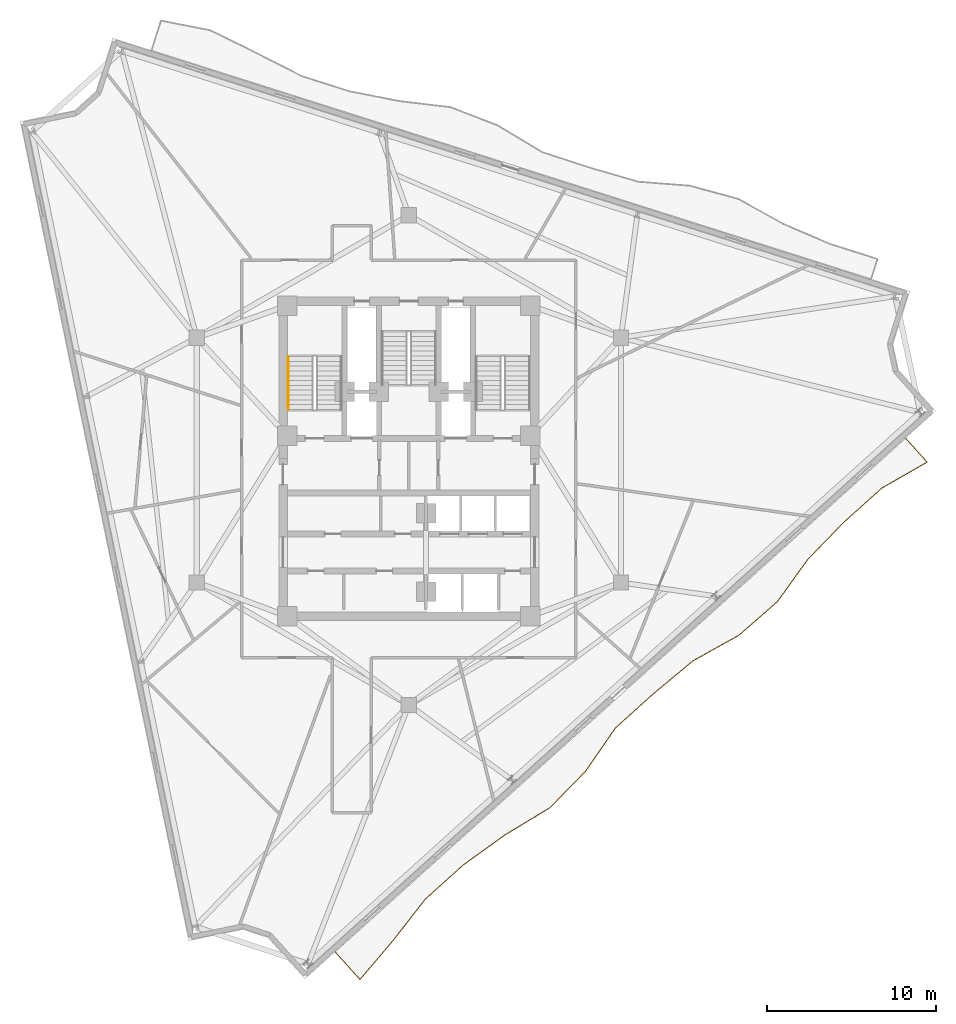
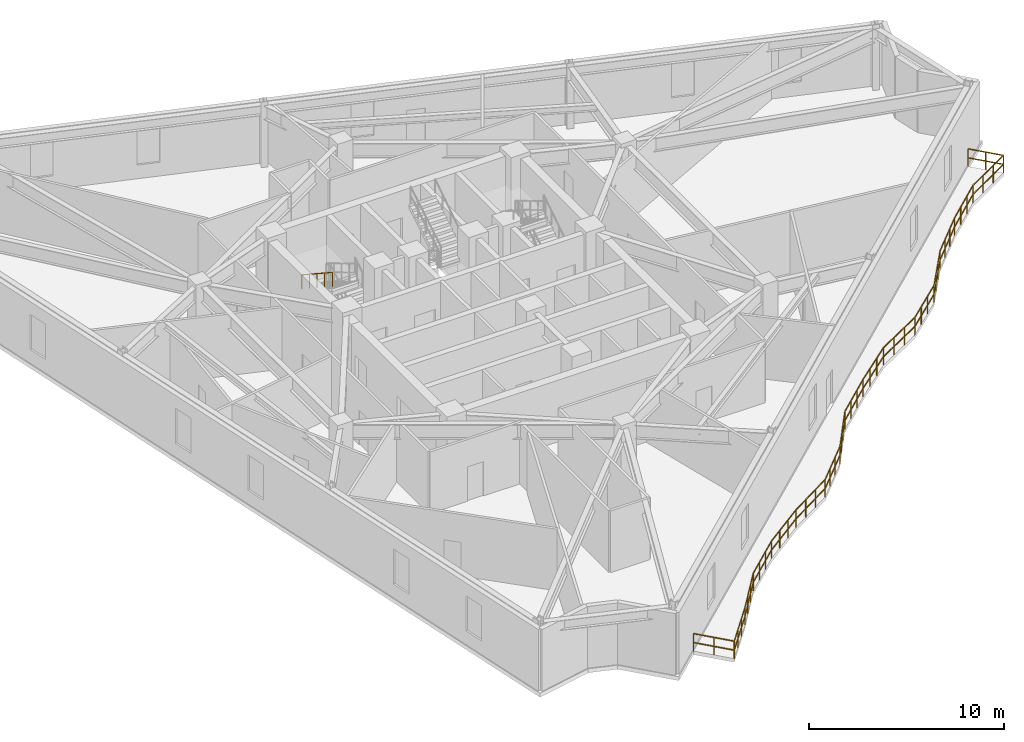
# One storey, part 9 of 11: 2 railings.
"""IFC4 building model written with IfcOpenShell, lengths in metres."""

from ifc_helpers import new_model, si_unit, direction, frame, origin, origin_2d, place, context, subcontext, project, spatial, rectangle, extrude, material, type_object, element, save


model = new_model("IFC4")

# Units and contexts
model_context = context("Model", 3, precision=1e-05, world=origin(), true_north=direction((0.0, 1.0)))
body_context = subcontext(model_context, "Body", "Model", "MODEL_VIEW")
ifc_project = project(units=[si_unit("LENGTHUNIT", "METRE"), si_unit("AREAUNIT", "SQUARE_METRE"), si_unit("VOLUMEUNIT", "CUBIC_METRE"), si_unit("PLANEANGLEUNIT", "RADIAN"), si_unit("MASSUNIT", "GRAM", prefix="KILO")], contexts=[model_context])

# Site, building, storey
site_placement = place(None, origin())
site = spatial("IfcSite", under=ifc_project, at=site_placement, CompositionType="ELEMENT")
building_placement = place(site_placement, origin())
building = spatial("IfcBuilding", under=site, at=building_placement, Name="Apsidion Concourse Tower", CompositionType="ELEMENT")
storey_placement = place(building_placement, frame((0.0, 0.0, 236.300048828125)))
storey = spatial("IfcBuildingStorey", under=building, at=storey_placement, Name="L55", CompositionType="ELEMENT", Elevation=236.300048828125)

# Railings
ifc_material = material(Name="Brushed stainless steel 316", Category="steel")
railing_type_1 = type_object("IfcRailingType", Name="RL-BAL-1120", PredefinedType="BALUSTRADE", material=ifc_material)
railing_1_placement = place(storey_placement, frame((29.43359375, 1.295166015625, 0.0)))
element("IfcRailing", 1, at=railing_1_placement, inside=storey, type_object=railing_type_1, Name="L55 Face 2 Rippling Balcony Balustrade", PredefinedType="BALUSTRADE", context=body_context, shape_type="SweptSolid", body=[
    extrude(rectangle(XDim=0.048095703125, YDim=0.048095703125, at=origin_2d()), frame((0.0, 0.0, 1.09619140625), z_axis=(0.669070824804, -0.743198648677, 0.0), x_axis=(0.743198648677, 0.669070824804, 0.0)), (0.0, 0.0, 1.0), 1.906982421875),
    extrude(rectangle(XDim=0.048095703125, YDim=0.048095703125, at=origin_2d()), frame((0.0, 0.0, 0.5361328125), z_axis=(0.669070824804, -0.743198648677, 0.0), x_axis=(0.743198648677, 0.669070824804, 0.0)), (0.0, 0.0, 1.0), 1.906982421875),
    extrude(rectangle(XDim=0.048095703125, YDim=0.048095703125, at=origin_2d()), frame((1.27587890625, -1.417236328125, 1.09619140625), z_axis=(-0.867981495589, -0.496596539774, 0.0), x_axis=(0.496596539774, -0.867981495589, 0.0)), (0.0, 0.0, 1.0), 3.10205078125),
    extrude(rectangle(XDim=0.048095703125, YDim=0.048095703125, at=origin_2d()), frame((1.27587890625, -1.417236328125, 0.5361328125), z_axis=(-0.867981495589, -0.496596539774, 0.0), x_axis=(0.496596539774, -0.867981495589, 0.0)), (0.0, 0.0, 1.0), 3.10205078125),
    extrude(rectangle(XDim=0.048095703125, YDim=0.048095703125, at=origin_2d()), frame((-1.416748046875, -2.957763671875, 1.09619140625), z_axis=(-0.743137975508, -0.669138213942, 0.0), x_axis=(0.669138213942, -0.743137975508, 0.0)), (0.0, 0.0, 1.0), 3.031982421875),
    extrude(rectangle(XDim=0.048095703125, YDim=0.048095703125, at=origin_2d()), frame((-1.416748046875, -2.957763671875, 0.5361328125), z_axis=(-0.743137975508, -0.669138213942, 0.0), x_axis=(0.669138213942, -0.743137975508, 0.0)), (0.0, 0.0, 1.0), 3.031982421875),
    extrude(rectangle(XDim=0.048095703125, YDim=0.048095703125, at=origin_2d()), frame((-3.669921875, -4.986572265625, 1.09619140625), z_axis=(-0.696952183516, -0.71711760116, 0.0), x_axis=(0.71711760116, -0.696952183516, 0.0)), (0.0, 0.0, 1.0), 3.038818359375),
    extrude(rectangle(XDim=0.048095703125, YDim=0.048095703125, at=origin_2d()), frame((-3.669921875, -4.986572265625, 0.5361328125), z_axis=(-0.696952183516, -0.71711760116, 0.0), x_axis=(0.71711760116, -0.696952183516, 0.0)), (0.0, 0.0, 1.0), 3.038818359375),
    extrude(rectangle(XDim=0.048095703125, YDim=0.048095703125, at=origin_2d()), frame((-5.787841796875, -7.165771484375, 1.09619140625), z_axis=(-0.58424875657, -0.811574636399, 0.0), x_axis=(0.811574636399, -0.58424875657, 0.0)), (0.0, 0.0, 1.0), 3.102783203125),
    extrude(rectangle(XDim=0.048095703125, YDim=0.048095703125, at=origin_2d()), frame((-5.787841796875, -7.165771484375, 0.5361328125), z_axis=(-0.58424875657, -0.811574636399, 0.0), x_axis=(0.811574636399, -0.58424875657, 0.0)), (0.0, 0.0, 1.0), 3.102783203125),
    extrude(rectangle(XDim=0.048095703125, YDim=0.048095703125, at=origin_2d()), frame((-7.6005859375, -9.683837890625, 1.09619140625), z_axis=(-0.753423932344, -0.657535077522, 0.0), x_axis=(0.657535077522, -0.753423932344, 0.0)), (0.0, 0.0, 1.0), 3.032470703125),
    extrude(rectangle(XDim=0.048095703125, YDim=0.048095703125, at=origin_2d()), frame((-7.6005859375, -9.683837890625, 0.5361328125), z_axis=(-0.753423932344, -0.657535077522, 0.0), x_axis=(0.657535077522, -0.753423932344, 0.0)), (0.0, 0.0, 1.0), 3.032470703125),
    extrude(rectangle(XDim=0.048095703125, YDim=0.048095703125, at=origin_2d()), frame((-9.88525390625, -11.677734375, 1.09619140625), z_axis=(-0.873582755783, -0.486675629962, 0.0), x_axis=(0.486675629962, -0.873582755783, 0.0)), (0.0, 0.0, 1.0), 3.110107421875),
    extrude(rectangle(XDim=0.048095703125, YDim=0.048095703125, at=origin_2d()), frame((-9.88525390625, -11.677734375, 0.5361328125), z_axis=(-0.873582755783, -0.486675629962, 0.0), x_axis=(0.486675629962, -0.873582755783, 0.0)), (0.0, 0.0, 1.0), 3.110107421875),
    extrude(rectangle(XDim=0.048095703125, YDim=0.048095703125, at=origin_2d()), frame((-12.602294921875, -13.19140625, 1.09619140625), z_axis=(-0.769124048812, -0.639099520841, 0.0), x_axis=(0.639099520841, -0.769124048812, 0.0)), (0.0, 0.0, 1.0), 3.0341796875),
    extrude(rectangle(XDim=0.048095703125, YDim=0.048095703125, at=origin_2d()), frame((-12.602294921875, -13.19140625, 0.5361328125), z_axis=(-0.769124048812, -0.639099520841, 0.0), x_axis=(0.639099520841, -0.769124048812, 0.0)), (0.0, 0.0, 1.0), 3.0341796875),
    extrude(rectangle(XDim=0.048095703125, YDim=0.048095703125, at=origin_2d()), frame((-14.93603515625, -15.130615234375, 1.09619140625), z_axis=(-0.743137975508, -0.669138213942, 0.0), x_axis=(0.669138213942, -0.743137975508, 0.0)), (0.0, 0.0, 1.0), 3.031982421875),
    extrude(rectangle(XDim=0.048095703125, YDim=0.048095703125, at=origin_2d()), frame((-14.93603515625, -15.130615234375, 0.5361328125), z_axis=(-0.743137975508, -0.669138213942, 0.0), x_axis=(0.669138213942, -0.743137975508, 0.0)), (0.0, 0.0, 1.0), 3.031982421875),
    extrude(rectangle(XDim=0.048095703125, YDim=0.048095703125, at=origin_2d()), frame((-17.189208984375, -17.159423828125, 1.09619140625), z_axis=(-0.56750232993, -0.823371790581, 0.0), x_axis=(0.823371790581, -0.56750232993, 0.0)), (0.0, 0.0, 1.0), 3.1171875),
    extrude(rectangle(XDim=0.048095703125, YDim=0.048095703125, at=origin_2d()), frame((-17.189208984375, -17.159423828125, 0.5361328125), z_axis=(-0.56750232993, -0.823371790581, 0.0), x_axis=(0.823371790581, -0.56750232993, 0.0)), (0.0, 0.0, 1.0), 3.1171875),
    extrude(rectangle(XDim=0.048095703125, YDim=0.048095703125, at=origin_2d()), frame((-18.958251953125, -19.72607421875, 1.09619140625), z_axis=(-0.699552991955, -0.714580724234, 0.0), x_axis=(0.714580724234, -0.699552991955, 0.0)), (0.0, 0.0, 1.0), 3.0380859375),
    extrude(rectangle(XDim=0.048095703125, YDim=0.048095703125, at=origin_2d()), frame((-18.958251953125, -19.72607421875, 0.5361328125), z_axis=(-0.699552991955, -0.714580724234, 0.0), x_axis=(0.714580724234, -0.699552991955, 0.0)), (0.0, 0.0, 1.0), 3.0380859375),
    extrude(rectangle(XDim=0.048095703125, YDim=0.048095703125, at=origin_2d()), frame((-21.08349609375, -21.89697265625, 1.09619140625), z_axis=(-0.855989177558, -0.516993740681, 0.0), x_axis=(0.516993740681, -0.855989177558, 0.0)), (0.0, 0.0, 1.0), 3.08740234375),
    extrude(rectangle(XDim=0.048095703125, YDim=0.048095703125, at=origin_2d()), frame((-21.08349609375, -21.89697265625, 0.5361328125), z_axis=(-0.855989177558, -0.516993740681, 0.0), x_axis=(0.516993740681, -0.855989177558, 0.0)), (0.0, 0.0, 1.0), 3.08740234375),
    extrude(rectangle(XDim=0.048095703125, YDim=0.048095703125, at=origin_2d()), frame((-23.726318359375, -23.4931640625, 1.09619140625), z_axis=(-0.811705861179, -0.584066430236, 0.0), x_axis=(0.584066430236, -0.811705861179, 0.0)), (0.0, 0.0, 1.0), 3.050048828125),
    extrude(rectangle(XDim=0.048095703125, YDim=0.048095703125, at=origin_2d()), frame((-23.726318359375, -23.4931640625, 0.5361328125), z_axis=(-0.811705861179, -0.584066430236, 0.0), x_axis=(0.584066430236, -0.811705861179, 0.0)), (0.0, 0.0, 1.0), 3.050048828125),
    extrude(rectangle(XDim=0.048095703125, YDim=0.048095703125, at=origin_2d()), frame((-26.2021484375, -25.274658203125, 1.09619140625), z_axis=(-0.743137975508, -0.669138213942, 0.0), x_axis=(0.669138213942, -0.743137975508, 0.0)), (0.0, 0.0, 1.0), 3.031982421875),
    extrude(rectangle(XDim=0.048095703125, YDim=0.048095703125, at=origin_2d()), frame((-26.2021484375, -25.274658203125, 0.5361328125), z_axis=(-0.743137975508, -0.669138213942, 0.0), x_axis=(0.669138213942, -0.743137975508, 0.0)), (0.0, 0.0, 1.0), 3.031982421875),
    extrude(rectangle(XDim=0.048095703125, YDim=0.048095703125, at=origin_2d()), frame((-28.455322265625, -27.303466796875, 1.09619140625), z_axis=(-0.614022928689, -0.789288187575, 0.0), x_axis=(0.789288187575, -0.614022928689, 0.0)), (0.0, 0.0, 1.0), 3.079833984375),
    extrude(rectangle(XDim=0.048095703125, YDim=0.048095703125, at=origin_2d()), frame((-28.455322265625, -27.303466796875, 0.5361328125), z_axis=(-0.614022928689, -0.789288187575, 0.0), x_axis=(0.789288187575, -0.614022928689, 0.0)), (0.0, 0.0, 1.0), 3.079833984375),
    extrude(rectangle(XDim=0.048095703125, YDim=0.048095703125, at=origin_2d()), frame((-30.346435546875, -29.734375, 1.09619140625), z_axis=(-0.647057580435, -0.762441137139, 0.0), x_axis=(0.762441137139, -0.647057580435, 0.0)), (0.0, 0.0, 1.0), 3.0595703125),
    extrude(rectangle(XDim=0.048095703125, YDim=0.048095703125, at=origin_2d()), frame((-30.346435546875, -29.734375, 0.5361328125), z_axis=(-0.647057580435, -0.762441137139, 0.0), x_axis=(0.762441137139, -0.647057580435, 0.0)), (0.0, 0.0, 1.0), 3.0595703125),
    extrude(rectangle(XDim=0.048095703125, YDim=0.048095703125, at=origin_2d()), frame((-32.326171875, -32.067138671875, 1.09619140625), z_axis=(-0.669068955814, 0.743200331247, 0.0), x_axis=(-0.743200331247, -0.669068955814, 0.0)), (0.0, 0.0, 1.0), 2.199951171875),
    extrude(rectangle(XDim=0.048095703125, YDim=0.048095703125, at=origin_2d()), frame((-32.326171875, -32.067138671875, 0.5361328125), z_axis=(-0.669068955814, 0.743200331247, 0.0), x_axis=(-0.743200331247, -0.669068955814, 0.0)), (0.0, 0.0, 1.0), 2.199951171875),
    extrude(rectangle(XDim=0.0419921875, YDim=0.0419921875, at=origin_2d()), origin(), (0.0, 0.0, 1.0), 1.072021484375),
    extrude(rectangle(XDim=0.0419921875, YDim=0.0419921875, at=origin_2d()), frame((0.637939453125, -0.70849609375, 0.0)), (0.0, 0.0, 1.0), 1.072021484375),
    extrude(rectangle(XDim=0.0419921875, YDim=0.0419921875, at=origin_2d()), frame((1.27587890625, -1.417236328125, 0.0)), (0.0, 0.0, 1.0), 1.072021484375),
    extrude(rectangle(XDim=0.0419921875, YDim=0.0419921875, at=origin_2d()), frame((0.37841796875, -1.9306640625, 0.0)), (0.0, 0.0, 1.0), 1.072021484375),
    extrude(rectangle(XDim=0.0419921875, YDim=0.0419921875, at=origin_2d()), frame((-0.519287109375, -2.4443359375, 0.0)), (0.0, 0.0, 1.0), 1.072021484375),
    extrude(rectangle(XDim=0.0419921875, YDim=0.0419921875, at=origin_2d()), frame((-1.416748046875, -2.957763671875, 0.0)), (0.0, 0.0, 1.0), 1.072021484375),
    extrude(rectangle(XDim=0.0419921875, YDim=0.0419921875, at=origin_2d()), frame((-2.167724609375, -3.634033203125, 0.0)), (0.0, 0.0, 1.0), 1.072021484375),
    extrude(rectangle(XDim=0.0419921875, YDim=0.0419921875, at=origin_2d()), frame((-2.9189453125, -4.310302734375, 0.0)), (0.0, 0.0, 1.0), 1.072021484375),
    extrude(rectangle(XDim=0.0419921875, YDim=0.0419921875, at=origin_2d()), frame((-3.669921875, -4.986572265625, 0.0)), (0.0, 0.0, 1.0), 1.072021484375),
    extrude(rectangle(XDim=0.0419921875, YDim=0.0419921875, at=origin_2d()), frame((-4.3759765625, -5.712890625, 0.0)), (0.0, 0.0, 1.0), 1.072021484375),
    extrude(rectangle(XDim=0.0419921875, YDim=0.0419921875, at=origin_2d()), frame((-5.081787109375, -6.439453125, 0.0)), (0.0, 0.0, 1.0), 1.072021484375),
    extrude(rectangle(XDim=0.0419921875, YDim=0.0419921875, at=origin_2d()), frame((-5.787841796875, -7.165771484375, 0.0)), (0.0, 0.0, 1.0), 1.072021484375),
    extrude(rectangle(XDim=0.0419921875, YDim=0.0419921875, at=origin_2d()), frame((-6.39208984375, -8.005126953125, 0.0)), (0.0, 0.0, 1.0), 1.072021484375),
    extrude(rectangle(XDim=0.0419921875, YDim=0.0419921875, at=origin_2d()), frame((-6.996337890625, -8.844482421875, 0.0)), (0.0, 0.0, 1.0), 1.072021484375),
    extrude(rectangle(XDim=0.0419921875, YDim=0.0419921875, at=origin_2d()), frame((-7.6005859375, -9.683837890625, 0.0)), (0.0, 0.0, 1.0), 1.072021484375),
    extrude(rectangle(XDim=0.0419921875, YDim=0.0419921875, at=origin_2d()), frame((-8.362060546875, -10.348388671875, 0.0)), (0.0, 0.0, 1.0), 1.072021484375),
    extrude(rectangle(XDim=0.0419921875, YDim=0.0419921875, at=origin_2d()), frame((-9.123779296875, -11.01318359375, 0.0)), (0.0, 0.0, 1.0), 1.072021484375),
    extrude(rectangle(XDim=0.0419921875, YDim=0.0419921875, at=origin_2d()), frame((-9.88525390625, -11.677734375, 0.0)), (0.0, 0.0, 1.0), 1.072021484375),
    extrude(rectangle(XDim=0.0419921875, YDim=0.0419921875, at=origin_2d()), frame((-10.791015625, -12.182373046875, 0.0)), (0.0, 0.0, 1.0), 1.072021484375),
    extrude(rectangle(XDim=0.0419921875, YDim=0.0419921875, at=origin_2d()), frame((-11.696533203125, -12.686767578125, 0.0)), (0.0, 0.0, 1.0), 1.072021484375),
    extrude(rectangle(XDim=0.0419921875, YDim=0.0419921875, at=origin_2d()), frame((-12.602294921875, -13.19140625, 0.0)), (0.0, 0.0, 1.0), 1.072021484375),
    extrude(rectangle(XDim=0.0419921875, YDim=0.0419921875, at=origin_2d()), frame((-13.380126953125, -13.837890625, 0.0)), (0.0, 0.0, 1.0), 1.072021484375),
    extrude(rectangle(XDim=0.0419921875, YDim=0.0419921875, at=origin_2d()), frame((-14.158203125, -14.484130859375, 0.0)), (0.0, 0.0, 1.0), 1.072021484375),
    extrude(rectangle(XDim=0.0419921875, YDim=0.0419921875, at=origin_2d()), frame((-14.93603515625, -15.130615234375, 0.0)), (0.0, 0.0, 1.0), 1.072021484375),
    extrude(rectangle(XDim=0.0419921875, YDim=0.0419921875, at=origin_2d()), frame((-15.68701171875, -15.806884765625, 0.0)), (0.0, 0.0, 1.0), 1.072021484375),
    extrude(rectangle(XDim=0.0419921875, YDim=0.0419921875, at=origin_2d()), frame((-16.438232421875, -16.483154296875, 0.0)), (0.0, 0.0, 1.0), 1.072021484375),
    extrude(rectangle(XDim=0.0419921875, YDim=0.0419921875, at=origin_2d()), frame((-17.189208984375, -17.159423828125, 0.0)), (0.0, 0.0, 1.0), 1.072021484375),
    extrude(rectangle(XDim=0.0419921875, YDim=0.0419921875, at=origin_2d()), frame((-17.77880859375, -18.014892578125, 0.0)), (0.0, 0.0, 1.0), 1.072021484375),
    extrude(rectangle(XDim=0.0419921875, YDim=0.0419921875, at=origin_2d()), frame((-18.36865234375, -18.87060546875, 0.0)), (0.0, 0.0, 1.0), 1.072021484375),
    extrude(rectangle(XDim=0.0419921875, YDim=0.0419921875, at=origin_2d()), frame((-18.958251953125, -19.72607421875, 0.0)), (0.0, 0.0, 1.0), 1.072021484375),
    extrude(rectangle(XDim=0.0419921875, YDim=0.0419921875, at=origin_2d()), frame((-19.666748046875, -20.44970703125, 0.0)), (0.0, 0.0, 1.0), 1.072021484375),
    extrude(rectangle(XDim=0.0419921875, YDim=0.0419921875, at=origin_2d()), frame((-20.375, -21.17333984375, 0.0)), (0.0, 0.0, 1.0), 1.072021484375),
    extrude(rectangle(XDim=0.0419921875, YDim=0.0419921875, at=origin_2d()), frame((-21.08349609375, -21.89697265625, 0.0)), (0.0, 0.0, 1.0), 1.072021484375),
    extrude(rectangle(XDim=0.0419921875, YDim=0.0419921875, at=origin_2d()), frame((-21.96435546875, -22.428955078125, 0.0)), (0.0, 0.0, 1.0), 1.072021484375),
    extrude(rectangle(XDim=0.0419921875, YDim=0.0419921875, at=origin_2d()), frame((-22.845458984375, -22.961181640625, 0.0)), (0.0, 0.0, 1.0), 1.072021484375),
    extrude(rectangle(XDim=0.0419921875, YDim=0.0419921875, at=origin_2d()), frame((-23.726318359375, -23.4931640625, 0.0)), (0.0, 0.0, 1.0), 1.072021484375),
    extrude(rectangle(XDim=0.0419921875, YDim=0.0419921875, at=origin_2d()), frame((-24.551513671875, -24.0869140625, 0.0)), (0.0, 0.0, 1.0), 1.072021484375),
    extrude(rectangle(XDim=0.0419921875, YDim=0.0419921875, at=origin_2d()), frame((-25.376953125, -24.680908203125, 0.0)), (0.0, 0.0, 1.0), 1.072021484375),
    extrude(rectangle(XDim=0.0419921875, YDim=0.0419921875, at=origin_2d()), frame((-26.2021484375, -25.274658203125, 0.0)), (0.0, 0.0, 1.0), 1.072021484375),
    extrude(rectangle(XDim=0.0419921875, YDim=0.0419921875, at=origin_2d()), frame((-26.953125, -25.950927734375, 0.0)), (0.0, 0.0, 1.0), 1.072021484375),
    extrude(rectangle(XDim=0.0419921875, YDim=0.0419921875, at=origin_2d()), frame((-27.704345703125, -26.627197265625, 0.0)), (0.0, 0.0, 1.0), 1.072021484375),
    extrude(rectangle(XDim=0.0419921875, YDim=0.0419921875, at=origin_2d()), frame((-28.455322265625, -27.303466796875, 0.0)), (0.0, 0.0, 1.0), 1.072021484375),
    extrude(rectangle(XDim=0.0419921875, YDim=0.0419921875, at=origin_2d()), frame((-29.085693359375, -28.11376953125, 0.0)), (0.0, 0.0, 1.0), 1.072021484375),
    extrude(rectangle(XDim=0.0419921875, YDim=0.0419921875, at=origin_2d()), frame((-29.716064453125, -28.924072265625, 0.0)), (0.0, 0.0, 1.0), 1.072021484375),
    extrude(rectangle(XDim=0.0419921875, YDim=0.0419921875, at=origin_2d()), frame((-30.346435546875, -29.734375, 0.0)), (0.0, 0.0, 1.0), 1.072021484375),
    extrude(rectangle(XDim=0.0419921875, YDim=0.0419921875, at=origin_2d()), frame((-31.00634765625, -30.511962890625, 0.0)), (0.0, 0.0, 1.0), 1.072021484375),
    extrude(rectangle(XDim=0.0419921875, YDim=0.0419921875, at=origin_2d()), frame((-31.666259765625, -31.28955078125, 0.0)), (0.0, 0.0, 1.0), 1.072021484375),
    extrude(rectangle(XDim=0.0419921875, YDim=0.0419921875, at=origin_2d()), frame((-32.326171875, -32.067138671875, 0.0)), (0.0, 0.0, 1.0), 1.072021484375),
    extrude(rectangle(XDim=0.0419921875, YDim=0.0419921875, at=origin_2d()), frame((-33.06201171875, -31.24951171875, 0.0)), (0.0, 0.0, 1.0), 1.072021484375),
    extrude(rectangle(XDim=0.0419921875, YDim=0.0419921875, at=origin_2d()), frame((-33.798095703125, -30.43212890625, 0.0)), (0.0, 0.0, 1.0), 1.072021484375),
])
railing_type_2 = type_object("IfcRailingType", Name="RL-HAND-900", PredefinedType="HANDRAIL", material=ifc_material)
railing_2_placement = place(storey_placement, frame((-7.14990234375, 6.135009765625, 2.220703125)))
element("IfcRailing", 2, at=railing_2_placement, inside=storey, type_object=railing_type_2, Name="L55 ST1 stair handrail 2", PredefinedType="HANDRAIL", context=body_context, shape_type="SweptSolid", body=[
    extrude(rectangle(XDim=0.048095703125, YDim=0.048095703125, at=origin_2d()), frame((0.0, 0.0, 0.8759765625), z_axis=(0.0, -0.836940907821, 0.547293263996), x_axis=(1.0, 0.0, 0.0)), (0.0, 0.0, 1.0), 3.745849609375),
    extrude(rectangle(XDim=0.0419921875, YDim=0.0419921875, at=origin_2d()), origin(), (0.0, 0.0, 1.0), 0.851806640625),
    extrude(rectangle(XDim=0.0419921875, YDim=0.0419921875, at=origin_2d()), frame((0.0, -0.78369140625, 0.512451171875)), (0.0, 0.0, 1.0), 0.851806640625),
    extrude(rectangle(XDim=0.0419921875, YDim=0.0419921875, at=origin_2d()), frame((0.0, -1.5673828125, 1.02490234375)), (0.0, 0.0, 1.0), 0.851806640625),
    extrude(rectangle(XDim=0.0419921875, YDim=0.0419921875, at=origin_2d()), frame((0.0, -2.351318359375, 1.53759765625)), (0.0, 0.0, 1.0), 0.851806640625),
    extrude(rectangle(XDim=0.0419921875, YDim=0.0419921875, at=origin_2d()), frame((0.0, -3.135009765625, 2.050048828125)), (0.0, 0.0, 1.0), 0.851806640625),
])

save(model, "model.ifc")
